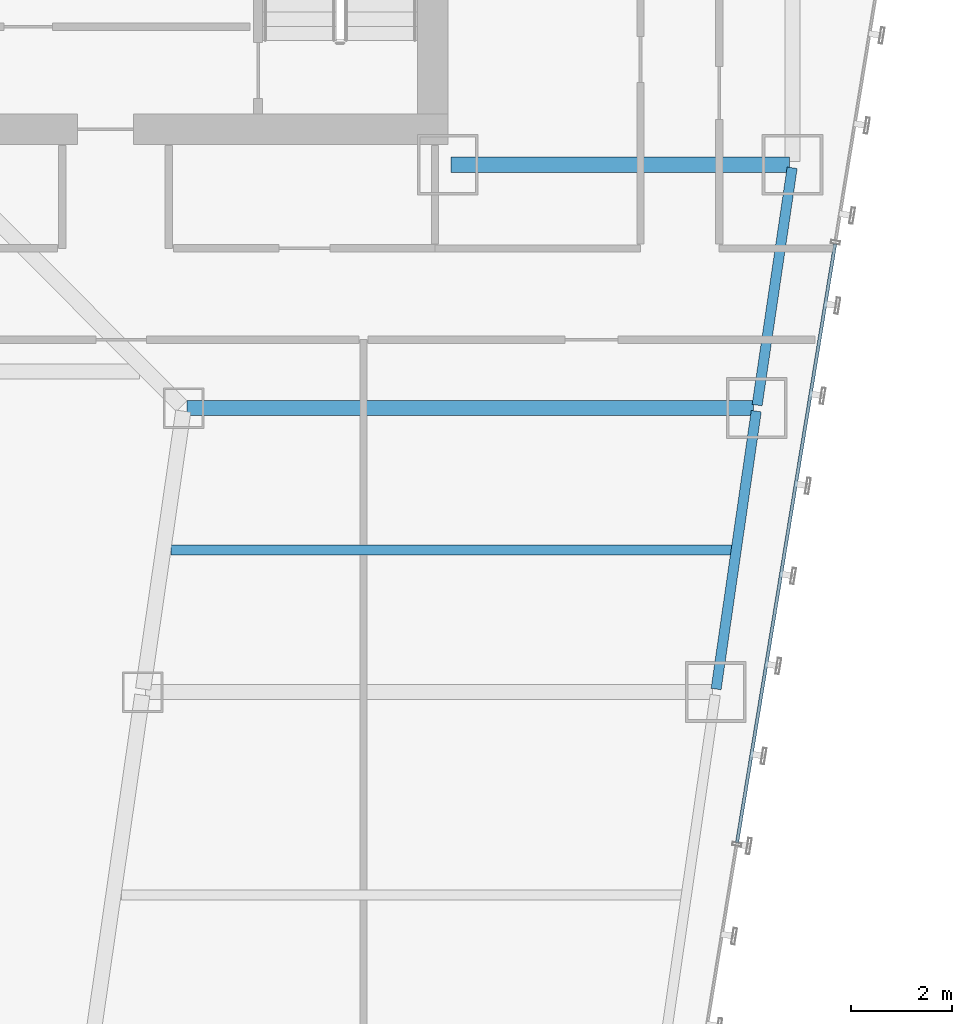
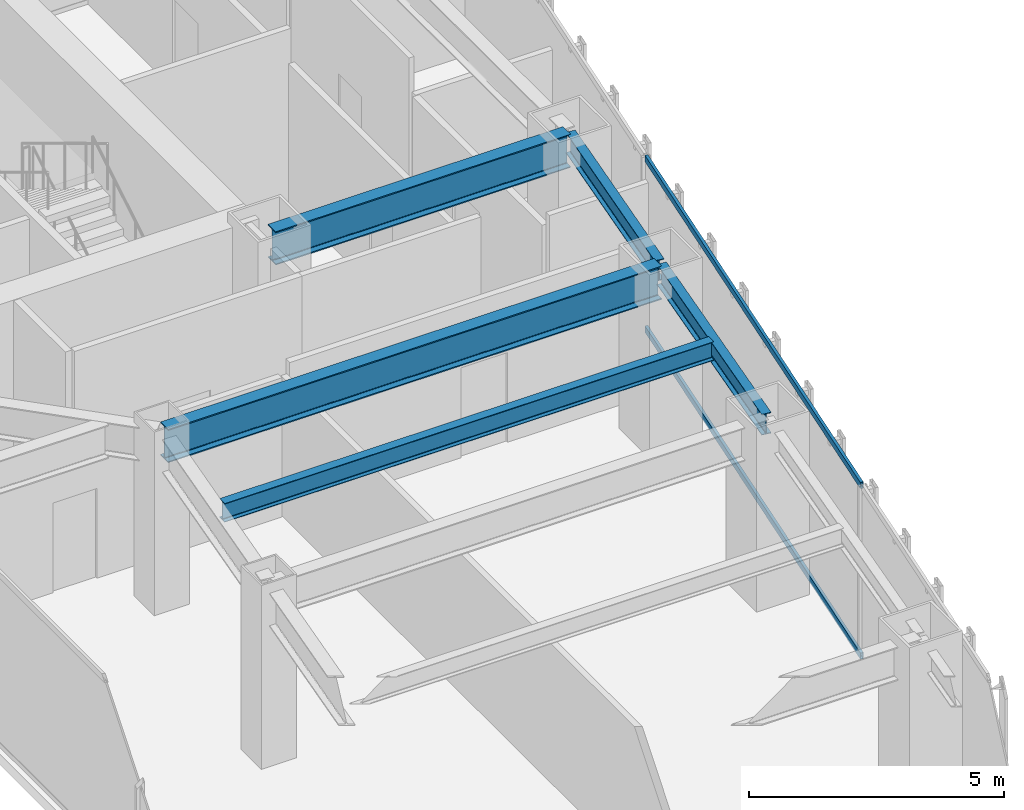
# One storey, part 30 of 47: 5 beams, 2 members, 1 element without a shape of its own.
"""IFC4 building model written with IfcOpenShell, lengths in metres."""

import ifcopenshell
import ifcopenshell.guid

model = None  # the IFC model being written
_history = None  # IfcOwnerHistory: only IFC2X3 demands one
_inside = {}  # id of a spatial element -> (the spatial element, [elements in it])
_under = {}  # id of a project, library or spatial element -> (it, [spatial elements below it])
_declared = {}  # id of a project -> (the project, [libraries it declares])
_typed = {}  # id of a type object -> (the type object, [elements of that type])
_made_of = {}  # id of a material, layer set ... -> (it, [elements and type objects made of it])


def new_model(schema):
    """Start an empty IFC model of exactly this schema.

    Asked for "IFC4X3", IfcOpenShell would pick the latest addendum, in which some entities
    have other attributes; the version numbers below select the first issue.
    IFC2X3 requires an IfcOwnerHistory on every rooted entity: one is made here for all.
    """
    global model, _history
    if schema == "IFC4X3":
        model = ifcopenshell.file(schema_version=(4, 3, 0, 0))
    else:
        model = ifcopenshell.file(schema=schema)
    _inside.clear()
    _under.clear()
    _declared.clear()
    _typed.clear()
    _made_of.clear()
    _history = None
    if model.schema == "IFC2X3":
        org = make("IfcOrganization", Name="unknown")
        user = make(
            "IfcPersonAndOrganization",
            ThePerson=make("IfcPerson", FamilyName="unknown"),
            TheOrganization=org,
        )
        app = make(
            "IfcApplication",
            ApplicationDeveloper=org,
            Version="unknown",
            ApplicationFullName="unknown",
            ApplicationIdentifier="unknown",
        )
        _history = make(
            "IfcOwnerHistory",
            OwningUser=user,
            OwningApplication=app,
            ChangeAction="ADDED",
            CreationDate=0,
        )
    return model


def make(cls, **values):
    """One entity of the class cls with the attributes given. An attribute that is None is left unset."""
    return model.create_entity(
        cls, **{name: value for name, value in values.items() if value is not None}
    )


def rooted(cls, **values):
    """An entity with a GlobalId (a new one), such as an element, a storey or a relation."""
    return make(cls, GlobalId=ifcopenshell.guid.new(), OwnerHistory=_history, **values)


def si_unit(unit_type, name, prefix=None):
    """IfcSIUnit, for example si_unit("LENGTHUNIT", "METRE", prefix="MILLI")."""
    return make("IfcSIUnit", UnitType=unit_type, Prefix=prefix, Name=name)


def assignment(units):
    """IfcUnitAssignment: the units of a project."""
    return None if units is None else make("IfcUnitAssignment", Units=units)


def point(xyz):
    """IfcCartesianPoint."""
    return None if xyz is None else make("IfcCartesianPoint", Coordinates=xyz)


def direction(xyz):
    """IfcDirection."""
    return None if xyz is None else make("IfcDirection", DirectionRatios=xyz)


def frame(location, z_axis=None, x_axis=None):
    """IfcAxis2Placement3D, a coordinate frame: its origin and axes. An axis left out is left unset."""
    return make(
        "IfcAxis2Placement3D",
        Location=point(location),
        Axis=direction(z_axis),
        RefDirection=direction(x_axis),
    )


def frame_2d(location, x_axis=None):
    """IfcAxis2Placement2D, a coordinate frame in the plane: its origin and x axis."""
    return make(
        "IfcAxis2Placement2D", Location=point(location), RefDirection=direction(x_axis)
    )


def origin():
    """The frame at (0, 0, 0) with its axes left unset."""
    return frame((0.0, 0.0, 0.0))


def origin_2d():
    """The frame at (0, 0) in the plane with its x axis left unset."""
    return frame_2d((0.0, 0.0))


def place(relative_to, where):
    """IfcLocalPlacement: puts the frame where relative to a parent placement (None: the world)."""
    return make(
        "IfcLocalPlacement", PlacementRelTo=relative_to, RelativePlacement=where
    )


def context(
    kind, dimensions, precision=None, world=None, true_north=None, identifier=None
):
    """IfcGeometricRepresentationContext, for example the 3D "Model" context."""
    return make(
        "IfcGeometricRepresentationContext",
        ContextIdentifier=identifier,
        ContextType=kind,
        CoordinateSpaceDimension=dimensions,
        Precision=precision,
        WorldCoordinateSystem=world,
        TrueNorth=true_north,
    )


def subcontext(parent, identifier, kind, view, scale=None):
    """IfcGeometricRepresentationSubContext, for example "Body" below "Model"."""
    return make(
        "IfcGeometricRepresentationSubContext",
        ContextIdentifier=identifier,
        ContextType=kind,
        ParentContext=parent,
        TargetScale=scale,
        TargetView=view,
    )


def project(units=None, contexts=None):
    """IfcProject with its units and contexts."""
    return rooted(
        "IfcProject",
        Name="project",
        RepresentationContexts=contexts,
        UnitsInContext=assignment(units),
    )


def spatial(cls, under=None, at=None, **own):
    """A site, building, storey or space (cls), placed at a placement, below another one or the project."""
    s = rooted(cls, ObjectPlacement=at, **own)
    if under is not None:
        _under.setdefault(under.id(), (under, []))[1].append(s)
    return s


def profile(cls, at=None, kind="AREA", **sizes):
    """A parametric profile (cls). Its sizes go by their IFC names, for example OverallWidth=200.0."""
    return make(cls, ProfileType=kind, Position=at, **sizes)


def hollow_rectangle(**sizes):
    """IfcRectangleHollowProfileDef."""
    return profile("IfcRectangleHollowProfileDef", **sizes)


def i_section(**sizes):
    """IfcIShapeProfileDef."""
    return profile("IfcIShapeProfileDef", **sizes)


def extrude(swept, where, along, depth):
    """IfcExtrudedAreaSolid: the profile swept, set in the frame where, extruded along a direction by depth."""
    return make(
        "IfcExtrudedAreaSolid",
        SweptArea=swept,
        Position=where,
        ExtrudedDirection=direction(along),
        Depth=depth,
    )


def shape(context_of_items, identifier, shape_type, items):
    """IfcShapeRepresentation: the items that make up one representation, for example the "Body"."""
    return make(
        "IfcShapeRepresentation",
        ContextOfItems=context_of_items,
        RepresentationIdentifier=identifier,
        RepresentationType=shape_type,
        Items=items,
    )


def material(Name=None, Category=None):
    """IfcMaterial."""
    return make("IfcMaterial", Name=Name, Category=Category)


def material_profile(
    of_material, cross_section, Name=None, Category=None, Priority=None
):
    """IfcMaterialProfile: a cross section and its material."""
    return make(
        "IfcMaterialProfile",
        Name=Name,
        Material=of_material,
        Profile=cross_section,
        Priority=Priority,
        Category=Category,
    )


def profile_set(profiles, Name=None, composite=None):
    """IfcMaterialProfileSet."""
    return make(
        "IfcMaterialProfileSet",
        Name=Name,
        MaterialProfiles=profiles,
        CompositeProfile=composite,
    )


def made_of(thing, what):
    """Note that an element or type object is made of a material, layer set ...; save() writes the relation."""
    if what is not None:
        _made_of.setdefault(what.id(), (what, []))[1].append(thing)
    return thing


def type_object(cls, material=None, **own):
    """A type object (cls), such as IfcWallType, which elements share."""
    return made_of(rooted(cls, **own), material)


def element(
    cls,
    number,
    at=None,
    inside=None,
    cuts=None,
    type_object=None,
    material=None,
    context=None,
    identifier="Body",
    shape_type=None,
    held_by="IfcProductDefinitionShape",
    body=None,
    shapes=None,
    **own,
):
    """One element of the class cls, such as IfcWall. Its Tag is "e" and its number.

    at: its placement. inside: the storey or other place that contains it. cuts: it is an
    opening in that element (IfcRelVoidsElement). A single representation is given by context,
    identifier, shape_type and body (its items); several are given by shapes. held_by: the class
    of the entity that holds the representations. save() writes the other relations.
    """
    e = rooted(cls, Tag="e%d" % number, ObjectPlacement=at, **own)
    if body is not None:
        shapes = [shape(context, identifier, shape_type, body)]
    if shapes is not None:
        e.Representation = make(held_by, Representations=shapes)
    if inside is not None:
        _inside.setdefault(inside.id(), (inside, []))[1].append(e)
    if cuts is not None:
        rooted(
            "IfcRelVoidsElement", RelatingBuildingElement=cuts, RelatedOpeningElement=e
        )
    if type_object is not None:
        _typed.setdefault(type_object.id(), (type_object, []))[1].append(e)
    return made_of(e, material)


def aggregate(whole, parts):
    """IfcRelAggregates: a whole, such as a stair, and the parts it consists of."""
    return rooted("IfcRelAggregates", RelatingObject=whole, RelatedObjects=parts)


def save(model, path):
    """Write the relations noted so far, then the file.

    IfcRelAggregates (storeys below a building ...), IfcRelContainedInSpatialStructure (elements
    in a storey), IfcRelDefinesByType, IfcRelAssociatesMaterial and IfcRelDeclares: one each for
    every whole, place, type object, material and project.
    """
    for whole, parts in _under.values():
        aggregate(whole, parts)
    for where, things in _inside.values():
        rooted(
            "IfcRelContainedInSpatialStructure",
            RelatedElements=things,
            RelatingStructure=where,
        )
    for kind, things in _typed.values():
        rooted("IfcRelDefinesByType", RelatedObjects=things, RelatingType=kind)
    for what, things in _made_of.values():
        rooted("IfcRelAssociatesMaterial", RelatedObjects=things, RelatingMaterial=what)
    for by, libraries in _declared.values():
        rooted("IfcRelDeclares", RelatingContext=by, RelatedDefinitions=libraries)
    model.write(path)


model = new_model("IFC4")

# Units and contexts
model_context = context("Model", 3, precision=1e-05, world=origin(), true_north=direction((0.0, 1.0)))
body_context = subcontext(model_context, "Body", "Model", "MODEL_VIEW")
ifc_project = project(units=[si_unit("LENGTHUNIT", "METRE"), si_unit("AREAUNIT", "SQUARE_METRE"), si_unit("VOLUMEUNIT", "CUBIC_METRE"), si_unit("PLANEANGLEUNIT", "RADIAN"), si_unit("MASSUNIT", "GRAM", prefix="KILO")], contexts=[model_context])

# Site, building, storey
site_placement = place(None, origin())
site = spatial("IfcSite", under=ifc_project, at=site_placement, CompositionType="ELEMENT")
building_placement = place(site_placement, origin())
building = spatial("IfcBuilding", under=site, at=building_placement, Name="Saevonmaru Cultural Tower", CompositionType="ELEMENT")
storey_placement = place(building_placement, frame((0.0, 0.0, 78.0)))
storey = spatial("IfcBuildingStorey", under=building, at=storey_placement, Name="L16", CompositionType="ELEMENT", Elevation=78.0)

# Beams
ifc_material_1 = material(Name="Steel SM420", Category="steel")
ifc_material_profile_1 = material_profile(ifc_material_1, i_section(OverallWidth=0.300048828125, OverallDepth=0.800048828125, WebThickness=0.013916015625, FlangeThickness=0.02587890625, FilletRadius=0.028076171875, at=origin_2d()), Name="H-800x300x14x26")
ifc_profile_set_1 = profile_set([ifc_material_profile_1], Name="Steel SM420")
beam_type_1 = type_object("IfcBeamType", Name="BM-G-H800", PredefinedType="BEAM", material=ifc_profile_set_1)
beam_1_placement = place(storey_placement, frame((46.4599609375, 42.39990234375, 3.75), z_axis=(1.0, 0.0, 0.0), x_axis=(0.0, 1.0, 0.0)))
element("IfcBeam", 1, at=beam_1_placement, inside=storey, type_object=beam_type_1, Name="L16 Core South Girder 5", PredefinedType="BEAM", context=body_context, shape_type="SweptSolid", body=[
    extrude(i_section(OverallWidth=0.300048828125, OverallDepth=0.800048828125, WebThickness=0.013916015625, FlangeThickness=0.02587890625, FilletRadius=0.028076171875, at=origin_2d()), origin(), (0.0, 0.0, 1.0), 6.679931640625),
])
beam_2_placement = place(storey_placement, frame((41.251953125, 37.60009765625, 3.75), z_axis=(1.0, 0.0, 0.0), x_axis=(0.0, 1.0, 0.0)))
element("IfcBeam", 2, at=beam_2_placement, inside=storey, type_object=beam_type_1, Name="L16 East Wing Transverse Girder 6", PredefinedType="BEAM", context=body_context, shape_type="SweptSolid", body=[
    extrude(i_section(OverallWidth=0.300048828125, OverallDepth=0.800048828125, WebThickness=0.013916015625, FlangeThickness=0.02587890625, FilletRadius=0.028076171875, at=origin_2d()), origin(), (0.0, 0.0, 1.0), 11.179931640625),
])
ifc_material_2 = material(Name="Steel SM355", Category="steel")
ifc_material_profile_2 = material_profile(ifc_material_2, i_section(OverallWidth=0.199951171875, OverallDepth=0.449951171875, WebThickness=0.009033203125, FlangeThickness=0.013916015625, FilletRadius=0.01806640625, at=origin_2d()), Name="H-450x200x9x14")
ifc_profile_set_2 = profile_set([ifc_material_profile_2], Name="Steel SM355")
beam_type_2 = type_object("IfcBeamType", Name="BM-J-H450", PredefinedType="JOIST", material=ifc_profile_set_2)
beam_3_placement = place(storey_placement, frame((40.945556640625, 34.800048828125, 3.925048828125), z_axis=(1.0, 0.0, 0.0), x_axis=(0.0, 1.0, 0.0)))
element("IfcBeam", 3, at=beam_3_placement, inside=storey, type_object=beam_type_2, Name="L16 East Wing Floor Joist 5", PredefinedType="JOIST", context=body_context, shape_type="SweptSolid", body=[
    extrude(i_section(OverallWidth=0.199951171875, OverallDepth=0.449951171875, WebThickness=0.009033203125, FlangeThickness=0.013916015625, FilletRadius=0.01806640625, at=origin_2d()), origin(), (0.0, 0.0, 1.0), 11.08203125),
])
ifc_material_profile_3 = material_profile(ifc_material_2, i_section(OverallWidth=0.199951171875, OverallDepth=0.5, WebThickness=0.010009765625, FlangeThickness=0.01611328125, FilletRadius=0.02001953125, at=origin_2d()), Name="H-500x200x10x16")
ifc_profile_set_3 = profile_set([ifc_material_profile_3], Name="Steel SM355")
beam_type_3 = type_object("IfcBeamType", Name="BM-SP-H500", PredefinedType="SPANDREL", material=ifc_profile_set_3)
beam_4_placement = place(storey_placement, frame((51.691650390625, 32.059326171875, 3.89990234375), z_axis=(0.142964121327, 0.989727871697, 0.0), x_axis=(-0.989727871697, 0.142964121327, 0.0)))
element("IfcBeam", 4, at=beam_4_placement, inside=storey, type_object=beam_type_3, Name="L16 East Splayed Spandrel 5", PredefinedType="SPANDREL", context=body_context, shape_type="SweptSolid", body=[
    extrude(i_section(OverallWidth=0.199951171875, OverallDepth=0.5, WebThickness=0.010009765625, FlangeThickness=0.01611328125, FilletRadius=0.02001953125, at=origin_2d()), origin(), (0.0, 0.0, 1.0), 5.5380859375),
])
beam_5_placement = place(storey_placement, frame((52.500732421875, 37.659423828125, 3.89990234375), z_axis=(0.145912860028, 0.989297446312, 0.0), x_axis=(-0.989297446312, 0.145912860028, 0.0)))
element("IfcBeam", 5, at=beam_5_placement, inside=storey, type_object=beam_type_3, Name="L16 East Splayed Spandrel 6", PredefinedType="SPANDREL", context=body_context, shape_type="SweptSolid", body=[
    extrude(i_section(OverallWidth=0.199951171875, OverallDepth=0.5, WebThickness=0.010009765625, FlangeThickness=0.01611328125, FilletRadius=0.02001953125, at=origin_2d()), origin(), (0.0, 0.0, 1.0), 4.731689453125),
])

# Curtain wall, members
ifc_material_3 = material(Name="Satin Bronze Anodised Aluminium", Category="aluminium")
curtain_wall_type = type_object("IfcCurtainWallType", Name="CW-TYP-A", PredefinedType="NOTDEFINED", material=ifc_material_3)
curtain_wall_placement = place(storey_placement, origin())
curtain_wall = element("IfcCurtainWall", 6, at=curtain_wall_placement, inside=storey, type_object=curtain_wall_type, Name="L16 Unitised Curtain Wall E8", PredefinedType="NOTDEFINED")
ifc_material_profile_4 = material_profile(ifc_material_3, hollow_rectangle(XDim=0.06494140625, YDim=0.14990234375, WallThickness=0.00390625, at=origin_2d()), Name="ALU-TRAN-150x65x4")
ifc_profile_set_4 = profile_set([ifc_material_profile_4], Name="Satin Bronze Anodised Aluminium")
member_type = type_object("IfcMemberType", Name="TR-CW-150x65", PredefinedType="USERDEFINED", material=ifc_profile_set_4)
member_1_placement = place(storey_placement, frame((52.105224609375, 29.031982421875, 0.032470703125), z_axis=(0.161701400727, 0.986839732177, 0.0), x_axis=(-0.986839732177, 0.161701400727, 0.0)))
member_1 = element("IfcMember", 7, at=member_1_placement, type_object=member_type, Name="CW-TW-L16-E8 transom 3.1", ObjectType="TRANSOM", PredefinedType="USERDEFINED", context=body_context, shape_type="SweptSolid", body=[
    extrude(hollow_rectangle(XDim=0.06494140625, YDim=0.14990234375, WallThickness=0.00390625, at=origin_2d()), origin(), (0.0, 0.0, 1.0), 11.9638671875),
])
member_2_placement = place(storey_placement, frame((52.105224609375, 29.031982421875, 4.117431640625), z_axis=(0.161701400727, 0.986839732177, 0.0), x_axis=(-0.986839732177, 0.161701400727, 0.0)))
member_2 = element("IfcMember", 8, at=member_2_placement, type_object=member_type, Name="CW-TW-L16-E8 transom 3.2", ObjectType="TRANSOM", PredefinedType="USERDEFINED", context=body_context, shape_type="SweptSolid", body=[
    extrude(hollow_rectangle(XDim=0.06494140625, YDim=0.14990234375, WallThickness=0.00390625, at=origin_2d()), origin(), (0.0, 0.0, 1.0), 11.9638671875),
])
aggregate(curtain_wall, [member_1, member_2])

save(model, "model.ifc")
